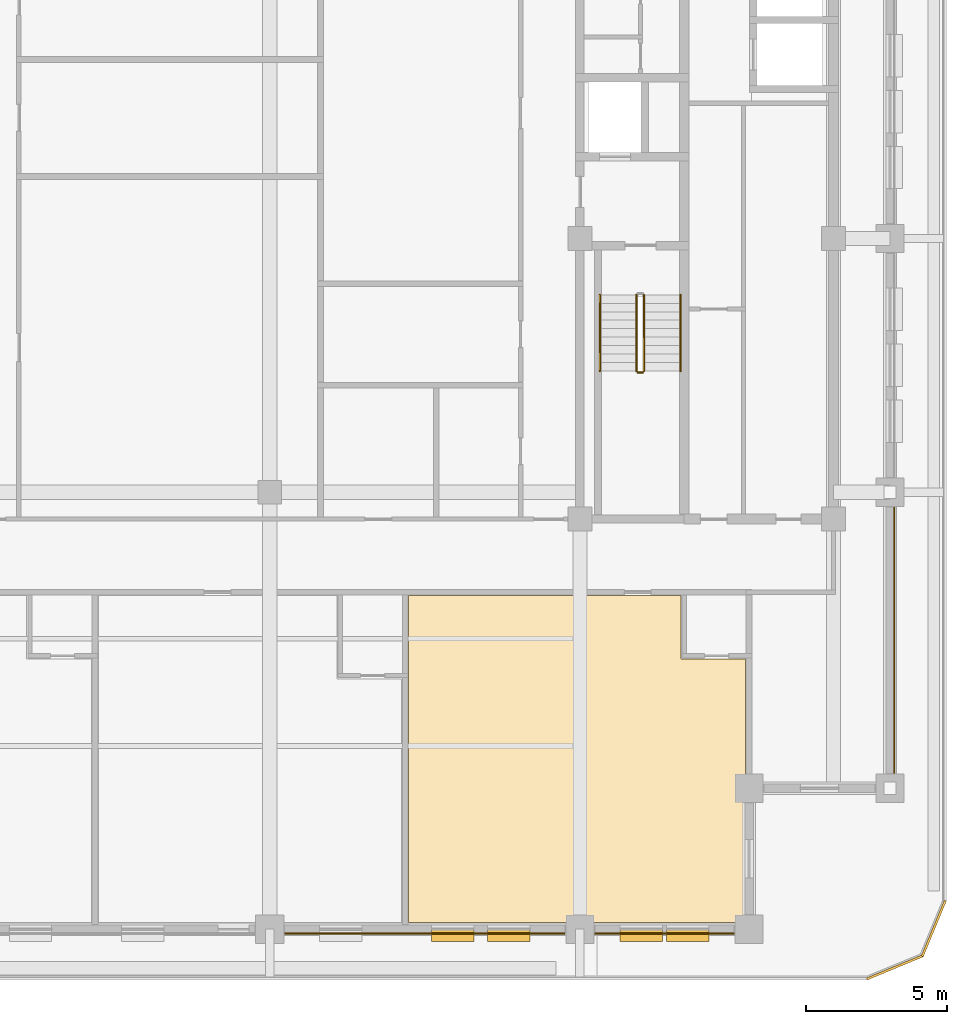
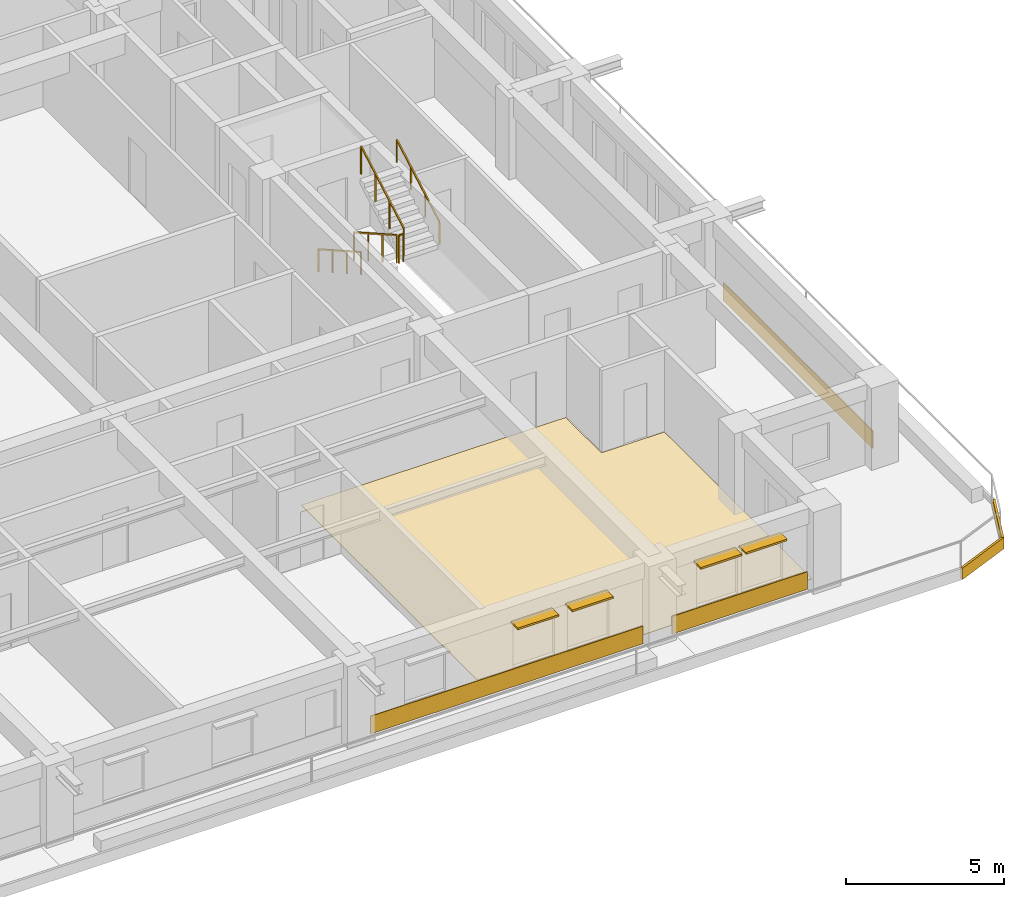
# One storey, part 12 of 14: 6 coverings, 5 railings, 4 shading devices.
"""IFC4 building model written with IfcOpenShell, lengths in metres."""

from ifc_helpers import new_model, si_unit, direction, frame, frame_2d, origin, origin_2d, place, context, subcontext, project, spatial, polyline, rectangle, outline, extrude, material, layer, layer_set, type_object, element, save


model = new_model("IFC4")

# Units and contexts
model_context = context("Model", 3, precision=1e-05, world=origin(), true_north=direction((0.0, 1.0)))
body_context = subcontext(model_context, "Body", "Model", "MODEL_VIEW")
ifc_project = project(units=[si_unit("LENGTHUNIT", "METRE"), si_unit("AREAUNIT", "SQUARE_METRE"), si_unit("VOLUMEUNIT", "CUBIC_METRE"), si_unit("PLANEANGLEUNIT", "RADIAN"), si_unit("MASSUNIT", "GRAM", prefix="KILO")], contexts=[model_context])

# Site, building, storey
site_placement = place(None, origin())
site = spatial("IfcSite", under=ifc_project, at=site_placement, CompositionType="ELEMENT")
building_placement = place(site_placement, origin())
building = spatial("IfcBuilding", under=site, at=building_placement, Name="Zulmaris Gate Convention Tower", CompositionType="ELEMENT")
storey_placement = place(building_placement, frame((0.0, 0.0, 205.06005859375)))
storey = spatial("IfcBuildingStorey", under=building, at=storey_placement, Name="L53", CompositionType="ELEMENT", Elevation=205.06005859375)

# Coverings
ifc_material_1 = material(Name="Precast concrete C40/50", Category="concrete")
ifc_layer_1 = layer(ifc_material_1, 0.0400390625, Name="Precast concrete C40/50")
ifc_layer_set_1 = layer_set([ifc_layer_1], Name="Precast concrete C40/50")
covering_type_1 = type_object("IfcCoveringType", Name="CLAD-SPANDREL-PRECAST", PredefinedType="CLADDING", material=ifc_layer_set_1)
covering_1_placement = place(storey_placement, frame((0.530029296875, -24.64990234375, 0.0), z_axis=(0.0, 0.0, 1.0), x_axis=(1.0, 0.0, 0.0)))
element("IfcCovering", 1, at=covering_1_placement, inside=storey, type_object=covering_type_1, Name="CLD-L53-S-2_0", PredefinedType="CLADDING", context=body_context, shape_type="SweptSolid", body=[
    extrude(rectangle(XDim=9.93994140625, YDim=0.0400390625, at=frame_2d((4.969970703125, 0.0))), origin(), (0.0, 0.0, 1.0), 0.679931640625),
])
covering_2_placement = place(storey_placement, frame((11.530029296875, -24.64990234375, 0.0), z_axis=(0.0, 0.0, 1.0), x_axis=(1.0, 0.0, 0.0)))
element("IfcCovering", 2, at=covering_2_placement, inside=storey, type_object=covering_type_1, Name="CLD-L53-S-3_0", PredefinedType="CLADDING", context=body_context, shape_type="SweptSolid", body=[
    extrude(rectangle(XDim=4.93994140625, YDim=0.0400390625, at=frame_2d((2.469970703125, 0.0))), origin(), (0.0, 0.0, 1.0), 0.679931640625),
])
covering_3_placement = place(storey_placement, frame((22.14990234375, -18.969970703125, 0.0), z_axis=(0.0, 0.0, 1.0), x_axis=(0.0, 1.0, 0.0)))
element("IfcCovering", 3, at=covering_3_placement, inside=storey, type_object=covering_type_1, Name="CLD-L53-E-0_0", PredefinedType="CLADDING", context=body_context, shape_type="SweptSolid", body=[
    extrude(rectangle(XDim=9.43994140625, YDim=0.0400390625, at=frame_2d((4.719970703125, 0.0))), origin(), (0.0, 0.0, 1.0), 0.679931640625),
])
ifc_material_2 = material(Name="White Glazed Architectural Precast Concrete C40/50", Category="concrete")
ifc_layer_2 = layer(ifc_material_2, 0.080078125, Name="White Glazed Architectural Precast Concrete C40/50")
ifc_layer_set_2 = layer_set([ifc_layer_2], Name="White Glazed Architectural Precast Concrete C40/50")
covering_type_2 = type_object("IfcCoveringType", Name="CLAD-TRAY-FASCIA", PredefinedType="CLADDING", material=ifc_layer_set_2)
covering_4_placement = place(storey_placement, frame((21.184814453125, -26.262939453125, -0.2900390625), z_axis=(0.0, 0.0, 1.0), x_axis=(0.923873803533, 0.382697263049, 0.0)))
element("IfcCovering", 4, at=covering_4_placement, inside=storey, type_object=covering_type_2, Name="FSC-L53-TR-03", PredefinedType="CLADDING", context=body_context, shape_type="SweptSolid", body=[
    extrude(rectangle(XDim=2.142822265625, YDim=0.080078125, at=frame_2d((1.0712890625, 0.0))), origin(), (0.0, 0.0, 1.0), 0.440185546875),
])
covering_5_placement = place(storey_placement, frame((23.142822265625, -25.464599609375, -0.2900390625), z_axis=(0.0, 0.0, 1.0), x_axis=(0.382656984709, 0.923890487046, 0.0)))
element("IfcCovering", 5, at=covering_5_placement, inside=storey, type_object=covering_type_2, Name="FSC-L53-TR-04", PredefinedType="CLADDING", context=body_context, shape_type="SweptSolid", body=[
    extrude(rectangle(XDim=2.14306640625, YDim=0.080078125, at=frame_2d((1.071533203125, 0.0))), origin(), (0.0, 0.0, 1.0), 0.440185546875),
])
ifc_material_3 = material(Name="Engineered Teak Parquet Flooring")
ifc_layer_3 = layer(ifc_material_3, 0.02001953125, Name="Engineered Teak Parquet Flooring")
ifc_layer_set_3 = layer_set([ifc_layer_3], Name="Engineered Teak Parquet Flooring")
covering_type_3 = type_object("IfcCoveringType", Name="FLR-TIMBER-18", PredefinedType="FLOORING", material=ifc_layer_set_3)
covering_6_placement = place(storey_placement, origin())
element("IfcCovering", 6, at=covering_6_placement, inside=storey, type_object=covering_type_3, Name="FLR-L53-R50", PredefinedType="FLOORING", context=body_context, shape_type="SweptSolid", body=[
    extrude(outline(polyline([(4.919921875, -24.260009765625), (16.8798828125, -24.260009765625), (16.8798828125, -14.919921875), (14.580078125, -14.919921875), (14.580078125, -12.669921875), (4.919921875, -12.669921875), (4.919921875, -24.260009765625)])), origin(), (0.0, 0.0, 1.0), 0.02001953125),
])

# Railings
ifc_material_4 = material(Name="Painted Galvanised Steel", Category="steel")
railing_type_1 = type_object("IfcRailingType", Name="RL-STG-1150", PredefinedType="GUARDRAIL", material=ifc_material_4)
railing_1_placement = place(storey_placement, frame((13.010009765625, -2.0, 0.169921875)))
element("IfcRailing", 7, at=railing_1_placement, inside=storey, type_object=railing_type_1, Name="L53 ST-2 stair guard 1", PredefinedType="GUARDRAIL", context=body_context, shape_type="SweptSolid", body=[
    extrude(rectangle(XDim=0.048095703125, YDim=0.048095703125, at=origin_2d()), frame((0.0, 0.0, 1.076171875), z_axis=(0.0, -0.870014312096, 0.49302646658), x_axis=(1.0, 0.0, 0.0)), (0.0, 0.0, 1.0), 3.103271484375),
    extrude(rectangle(XDim=0.0419921875, YDim=0.0419921875, at=origin_2d()), origin(), (0.0, 0.0, 1.0), 1.052001953125),
    extrude(rectangle(XDim=0.0419921875, YDim=0.0419921875, at=origin_2d()), frame((0.0, -0.89990234375, 0.510009765625)), (0.0, 0.0, 1.0), 1.052001953125),
    extrude(rectangle(XDim=0.0419921875, YDim=0.0419921875, at=origin_2d()), frame((0.0, -1.800048828125, 1.02001953125)), (0.0, 0.0, 1.0), 1.052001953125),
    extrude(rectangle(XDim=0.0419921875, YDim=0.0419921875, at=origin_2d()), frame((0.0, -2.699951171875, 1.530029296875)), (0.0, 0.0, 1.0), 1.052001953125),
])
railing_2_placement = place(storey_placement, frame((13.06005859375, -4.75, 1.699951171875)))
element("IfcRailing", 8, at=railing_2_placement, inside=storey, type_object=railing_type_1, Name="L53 ST-2 stair guard 2", PredefinedType="GUARDRAIL", context=body_context, shape_type="SweptSolid", body=[
    extrude(rectangle(XDim=0.048095703125, YDim=0.048095703125, at=origin_2d()), frame((0.0, 0.0, 1.076171875), z_axis=(1.0, 0.0, 0.0), x_axis=(0.0, 1.0, 0.0)), (0.0, 0.0, 1.0), 0.159912109375),
    extrude(rectangle(XDim=0.0419921875, YDim=0.0419921875, at=origin_2d()), origin(), (0.0, 0.0, 1.0), 1.052001953125),
    extrude(rectangle(XDim=0.0419921875, YDim=0.0419921875, at=origin_2d()), frame((0.159912109375, 0.0, 0.0)), (0.0, 0.0, 1.0), 1.052001953125),
])
railing_3_placement = place(storey_placement, frame((13.27001953125, -4.699951171875, 1.869873046875)))
element("IfcRailing", 9, at=railing_3_placement, inside=storey, type_object=railing_type_1, Name="L53 ST-2 stair guard 3", PredefinedType="GUARDRAIL", context=body_context, shape_type="SweptSolid", body=[
    extrude(rectangle(XDim=0.048095703125, YDim=0.048095703125, at=origin_2d()), frame((0.0, 0.0, 1.076171875), z_axis=(0.0, 0.870014312096, 0.49302646658), x_axis=(-1.0, 0.0, 0.0)), (0.0, 0.0, 1.0), 3.103271484375),
    extrude(rectangle(XDim=0.0419921875, YDim=0.0419921875, at=origin_2d()), origin(), (0.0, 0.0, 1.0), 1.052001953125),
    extrude(rectangle(XDim=0.0419921875, YDim=0.0419921875, at=origin_2d()), frame((0.0, 0.89990234375, 0.510009765625)), (0.0, 0.0, 1.0), 1.052001953125),
    extrude(rectangle(XDim=0.0419921875, YDim=0.0419921875, at=origin_2d()), frame((0.0, 1.800048828125, 1.02001953125)), (0.0, 0.0, 1.0), 1.052001953125),
    extrude(rectangle(XDim=0.0419921875, YDim=0.0419921875, at=origin_2d()), frame((0.0, 2.699951171875, 1.530029296875)), (0.0, 0.0, 1.0), 1.052001953125),
])
ifc_material_5 = material(Name="Brushed Stainless Steel", Category="steel")
railing_type_2 = type_object("IfcRailingType", Name="RL-STH-900", PredefinedType="HANDRAIL", material=ifc_material_5)
railing_4_placement = place(storey_placement, frame((11.7099609375, -2.0, 0.169921875)))
element("IfcRailing", 10, at=railing_4_placement, inside=storey, type_object=railing_type_2, Name="L53 ST-2 stair handrail 1", PredefinedType="HANDRAIL", context=body_context, shape_type="SweptSolid", body=[
    extrude(rectangle(XDim=0.048095703125, YDim=0.048095703125, at=origin_2d()), frame((0.0, 0.0, 0.8759765625), z_axis=(0.0, -0.870014312096, 0.49302646658), x_axis=(1.0, 0.0, 0.0)), (0.0, 0.0, 1.0), 3.103271484375),
    extrude(rectangle(XDim=0.0419921875, YDim=0.0419921875, at=origin_2d()), origin(), (0.0, 0.0, 1.0), 0.851806640625),
    extrude(rectangle(XDim=0.0419921875, YDim=0.0419921875, at=origin_2d()), frame((0.0, -0.89990234375, 0.510009765625)), (0.0, 0.0, 1.0), 0.851806640625),
    extrude(rectangle(XDim=0.0419921875, YDim=0.0419921875, at=origin_2d()), frame((0.0, -1.800048828125, 1.02001953125)), (0.0, 0.0, 1.0), 0.851806640625),
    extrude(rectangle(XDim=0.0419921875, YDim=0.0419921875, at=origin_2d()), frame((0.0, -2.699951171875, 1.530029296875)), (0.0, 0.0, 1.0), 0.851806640625),
])
railing_5_placement = place(storey_placement, frame((14.570068359375, -4.699951171875, 1.869873046875)))
element("IfcRailing", 11, at=railing_5_placement, inside=storey, type_object=railing_type_2, Name="L53 ST-2 stair handrail 2", PredefinedType="HANDRAIL", context=body_context, shape_type="SweptSolid", body=[
    extrude(rectangle(XDim=0.048095703125, YDim=0.048095703125, at=origin_2d()), frame((0.0, 0.0, 0.8759765625), z_axis=(0.0, 0.870014312096, 0.49302646658), x_axis=(-1.0, 0.0, 0.0)), (0.0, 0.0, 1.0), 3.103271484375),
    extrude(rectangle(XDim=0.0419921875, YDim=0.0419921875, at=origin_2d()), origin(), (0.0, 0.0, 1.0), 0.851806640625),
    extrude(rectangle(XDim=0.0419921875, YDim=0.0419921875, at=origin_2d()), frame((0.0, 0.89990234375, 0.510009765625)), (0.0, 0.0, 1.0), 0.851806640625),
    extrude(rectangle(XDim=0.0419921875, YDim=0.0419921875, at=origin_2d()), frame((0.0, 1.800048828125, 1.02001953125)), (0.0, 0.0, 1.0), 0.851806640625),
    extrude(rectangle(XDim=0.0419921875, YDim=0.0419921875, at=origin_2d()), frame((0.0, 2.699951171875, 1.530029296875)), (0.0, 0.0, 1.0), 0.851806640625),
])

# Shading devices
ifc_material_6 = material(Name="Glazed Ceramic Terracotta", Category="masonry")
ifc_layer_4 = layer(ifc_material_6, 0.070068359375, Name="Glazed Ceramic Terracotta")
ifc_layer_set_4 = layer_set([ifc_layer_4], Name="Glazed Ceramic Terracotta")
shading_device_type = type_object("IfcShadingDeviceType", Name="SHD-SUNSHADE-TC", PredefinedType="AWNING", material=ifc_layer_set_4)
for number, where, z_axis, x_axis, name in (
    (12, (5.743896484375, -24.719970703125, 2.35009765625), (0.0, 0.0, 1.0), (1.0, 0.0, 0.0), "SHD-EW-L53-S-2_0-3"),
    (13, (7.73193359375, -24.719970703125, 2.35009765625), (0.0, 0.0, 1.0), (1.0, 0.0, 0.0), "SHD-EW-L53-S-2_0-4"),
    (14, (12.427001953125, -24.719970703125, 2.35009765625), (0.0, 0.0, 1.0), (1.0, 0.0, 0.0), "SHD-EW-L53-S-3_0-1"),
    (15, (14.072998046875, -24.719970703125, 2.35009765625), (0.0, 0.0, 1.0), (1.0, 0.0, 0.0), "SHD-EW-L53-S-3_0-2"),
):
    element("IfcShadingDevice", number, at=place(storey_placement, frame(where, z_axis=z_axis, x_axis=x_axis)), inside=storey, type_object=shading_device_type, Name=name, PredefinedType="AWNING", context=body_context, shape_type="SweptSolid", body=[
        extrude(rectangle(XDim=1.5, YDim=0.43994140625, at=frame_2d((0.75, 0.0))), origin(), (0.0, 0.0, 1.0), 0.06982421875),
    ])

save(model, "model.ifc")
